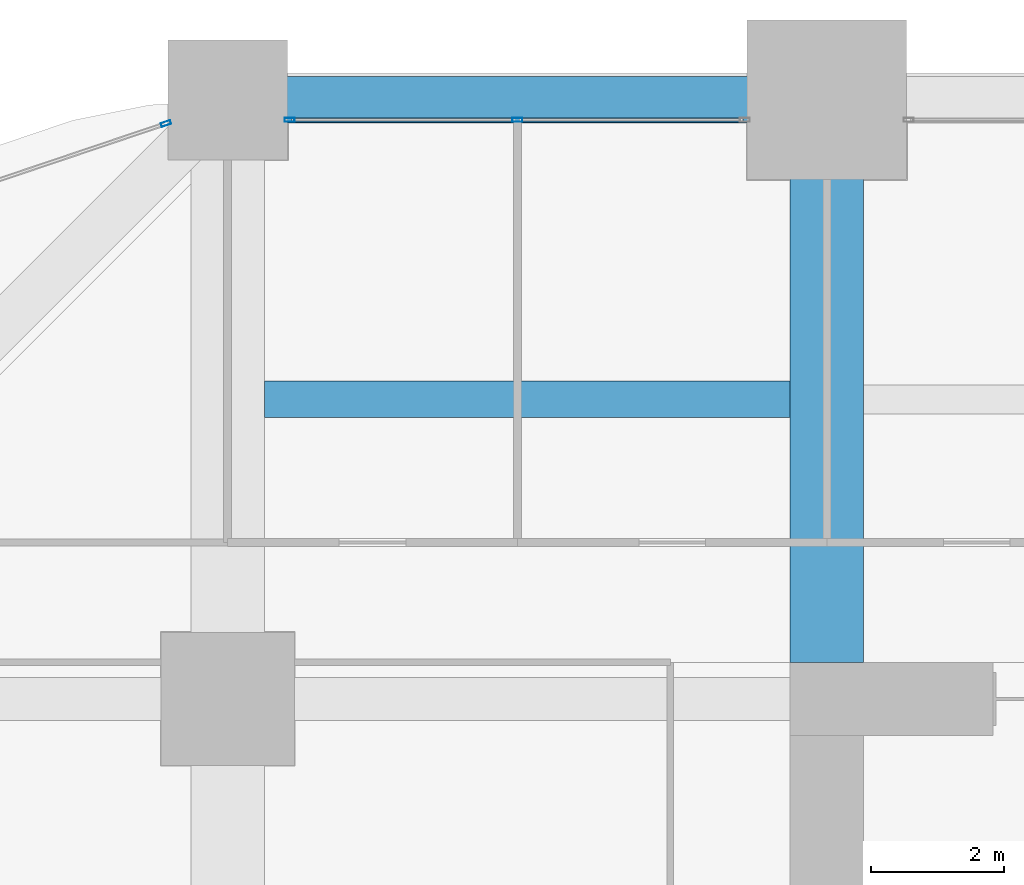
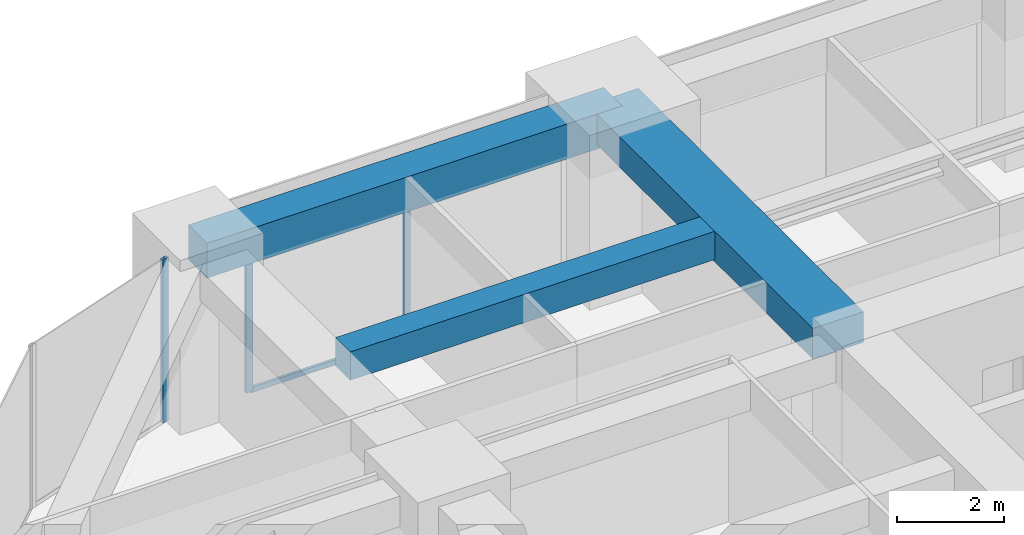
# One storey, part 27 of 41: 4 members, 3 beams, 2 elements without a shape of their own.
"""IFC4 building model written with IfcOpenShell, lengths in metres."""

from ifc_helpers import new_model, si_unit, direction, frame, origin, origin_2d, place, context, subcontext, project, spatial, rectangle, hollow_rectangle, extrude, material, material_profile, profile_set, type_object, element, aggregate, save


model = new_model("IFC4")

# Units and contexts
model_context = context("Model", 3, precision=1e-05, world=origin(), true_north=direction((0.0, 1.0)))
body_context = subcontext(model_context, "Body", "Model", "MODEL_VIEW")
ifc_project = project(units=[si_unit("LENGTHUNIT", "METRE"), si_unit("AREAUNIT", "SQUARE_METRE"), si_unit("VOLUMEUNIT", "CUBIC_METRE"), si_unit("PLANEANGLEUNIT", "RADIAN"), si_unit("MASSUNIT", "GRAM", prefix="KILO")], contexts=[model_context])

# Site, building, storey
site_placement = place(None, origin())
site = spatial("IfcSite", under=ifc_project, at=site_placement, CompositionType="ELEMENT")
building_placement = place(site_placement, origin())
building = spatial("IfcBuilding", under=site, at=building_placement, Name="Zorevar Civic Tower", CompositionType="ELEMENT")
storey_placement = place(building_placement, frame((0.0, 0.0, 109.0)))
storey = spatial("IfcBuildingStorey", under=building, at=storey_placement, Name="L26", CompositionType="ELEMENT", Elevation=109.0)

# Beams
ifc_material_1 = material(Name="Concrete C50/60", Category="concrete")
ifc_material_profile_1 = material_profile(ifc_material_1, rectangle(XDim=1.10009765625, YDim=0.699951171875, at=origin_2d()), Name="RC 1100x700")
ifc_profile_set_1 = profile_set([ifc_material_profile_1], Name="Concrete C50/60")
beam_type_1 = type_object("IfcBeamType", Name="Beam RC 1100x700", PredefinedType="BEAM", material=ifc_profile_set_1)
beam_1_placement = place(storey_placement, frame((18.0, 36.550048828125, 3.39990234375), z_axis=(0.0, 1.0, 0.0), x_axis=(-1.0, 0.0, 0.0)))
element("IfcBeam", 1, at=beam_1_placement, inside=storey, type_object=beam_type_1, Name="Girder L27", PredefinedType="BEAM", context=body_context, shape_type="SweptSolid", body=[
    extrude(rectangle(XDim=1.10009765625, YDim=0.699951171875, at=origin_2d()), origin(), (0.0, 0.0, 1.0), 8.449951171875),
])
ifc_material_2 = material(Name="Concrete C50/60", Category="concrete")
ifc_material_profile_2 = material_profile(ifc_material_2, rectangle(XDim=0.550048828125, YDim=0.64990234375, at=origin_2d()), Name="RC 550x650")
ifc_profile_set_2 = profile_set([ifc_material_profile_2], Name="Concrete C50/60")
beam_type_2 = type_object("IfcBeamType", Name="Beam RC 550x650", PredefinedType="BEAM", material=ifc_profile_set_2)
beam_2_placement = place(storey_placement, frame((9.550048828125, 40.5, 3.425048828125), z_axis=(1.0, 0.0, 0.0), x_axis=(0.0, 1.0, 0.0)))
element("IfcBeam", 2, at=beam_2_placement, inside=storey, type_object=beam_type_2, Name="Secondary beam L27", PredefinedType="BEAM", context=body_context, shape_type="SweptSolid", body=[
    extrude(rectangle(XDim=0.550048828125, YDim=0.64990234375, at=origin_2d()), origin(), (0.0, 0.0, 1.0), 7.89990234375),
])

# Curtain wall, members
ifc_material_3 = material(Name="Dark grey solar-control glass in black aluminium frame", Category="aluminium")
curtain_wall_type = type_object("IfcCurtainWallType", Name="Curtain wall CW3 mid zone", PredefinedType="NOTDEFINED", material=ifc_material_3)
curtain_wall_1_placement = place(storey_placement, origin())
curtain_wall_1 = element("IfcCurtainWall", 3, at=curtain_wall_1_placement, inside=storey, type_object=curtain_wall_type, Name="CW3 L26", PredefinedType="NOTDEFINED")
ifc_material_4 = material(Name="Aluminium, black anodised", Category="aluminium")
ifc_material_profile_3 = material_profile(ifc_material_4, hollow_rectangle(XDim=0.06005859375, YDim=0.14990234375, WallThickness=0.00390625, at=origin_2d()), Name="AL 150x60x4")
ifc_profile_set_3 = profile_set([ifc_material_profile_3], Name="Aluminium, black anodised")
member_type_1 = type_object("IfcMemberType", Name="CW3 mullion AL 150x60x4", PredefinedType="MULLION", material=ifc_profile_set_3)
member_1_placement = place(storey_placement, frame((9.929931640625, 44.699951171875, 0.0), z_axis=(0.0, 0.0, 1.0), x_axis=(0.0, 1.0, 0.0)))
member_1 = element("IfcMember", 4, at=member_1_placement, type_object=member_type_1, Name="CW3 mullion 1", PredefinedType="MULLION", context=body_context, shape_type="SweptSolid", body=[
    extrude(hollow_rectangle(XDim=0.06005859375, YDim=0.14990234375, WallThickness=0.00390625, at=origin_2d()), origin(), (0.0, 0.0, 1.0), 2.949951171875),
])
member_2_placement = place(storey_placement, frame((13.35009765625, 44.699951171875, 0.06005859375), z_axis=(0.0, 0.0, 1.0), x_axis=(0.0, 1.0, 0.0)))
member_2 = element("IfcMember", 5, at=member_2_placement, type_object=member_type_1, Name="CW3 mullion 2", PredefinedType="MULLION", context=body_context, shape_type="SweptSolid", body=[
    extrude(hollow_rectangle(XDim=0.06005859375, YDim=0.14990234375, WallThickness=0.00390625, at=origin_2d()), origin(), (0.0, 0.0, 1.0), 2.889892578125),
])

# Curtain wall, member
curtain_wall_2_placement = place(storey_placement, origin())
curtain_wall_2 = element("IfcCurtainWall", 6, at=curtain_wall_2_placement, inside=storey, type_object=curtain_wall_type, Name="CW3 L26", PredefinedType="NOTDEFINED")
member_3_placement = place(storey_placement, frame((8.071533203125, 44.643798828125, 0.0), z_axis=(0.0, 0.0, 1.0), x_axis=(0.319412525043, -0.947615765406, 0.0)))
member_3 = element("IfcMember", 7, at=member_3_placement, type_object=member_type_1, Name="CW3 mullion 1", PredefinedType="MULLION", context=body_context, shape_type="SweptSolid", body=[
    extrude(hollow_rectangle(XDim=0.06005859375, YDim=0.14990234375, WallThickness=0.00390625, at=origin_2d()), origin(), (0.0, 0.0, 1.0), 3.75),
])
aggregate(curtain_wall_2, [member_3])

# Member
ifc_material_5 = material(Name="Aluminium, black anodised", Category="aluminium")
ifc_material_profile_4 = material_profile(ifc_material_5, hollow_rectangle(XDim=0.06005859375, YDim=0.1201171875, WallThickness=0.0029296875, at=origin_2d()), Name="AL 120x60x3")
ifc_profile_set_4 = profile_set([ifc_material_profile_4], Name="Aluminium, black anodised")
member_type_2 = type_object("IfcMemberType", Name="CW3 transom AL 120x60x3", PredefinedType="USERDEFINED", material=ifc_profile_set_4)
member_4_placement = place(storey_placement, frame((9.9599609375, 44.699951171875, 0.030029296875), z_axis=(1.0, 0.0, 0.0), x_axis=(0.0, 1.0, 0.0)))
member_4 = element("IfcMember", 8, at=member_4_placement, type_object=member_type_2, Name="CW3 sill transom", ObjectType="TRANSOM", PredefinedType="USERDEFINED", context=body_context, shape_type="SweptSolid", body=[
    extrude(hollow_rectangle(XDim=0.06005859375, YDim=0.1201171875, WallThickness=0.0029296875, at=origin_2d()), origin(), (0.0, 0.0, 1.0), 6.780029296875),
])

aggregate(curtain_wall_1, [member_1, member_2, member_4])

# Beam
ifc_material_6 = material(Name="Concrete C50/60", Category="concrete")
ifc_material_profile_5 = material_profile(ifc_material_6, rectangle(XDim=0.699951171875, YDim=0.800048828125, at=origin_2d()), Name="RC 700x800")
ifc_profile_set_5 = profile_set([ifc_material_profile_5], Name="Concrete C50/60")
beam_type_3 = type_object("IfcBeamType", Name="Edge beam RC 700x800", PredefinedType="SPANDREL", material=ifc_profile_set_5)
beam_3_placement = place(storey_placement, frame((9.0, 45.0, 3.35009765625), z_axis=(1.0, 0.0, 0.0), x_axis=(0.0, 1.0, 0.0)))
element("IfcBeam", 9, at=beam_3_placement, inside=storey, type_object=beam_type_3, Name="Edge beam L27", PredefinedType="SPANDREL", context=body_context, shape_type="SweptSolid", body=[
    extrude(rectangle(XDim=0.699951171875, YDim=0.800048828125, at=origin_2d()), origin(), (0.0, 0.0, 1.0), 9.0),
])

save(model, "model.ifc")
